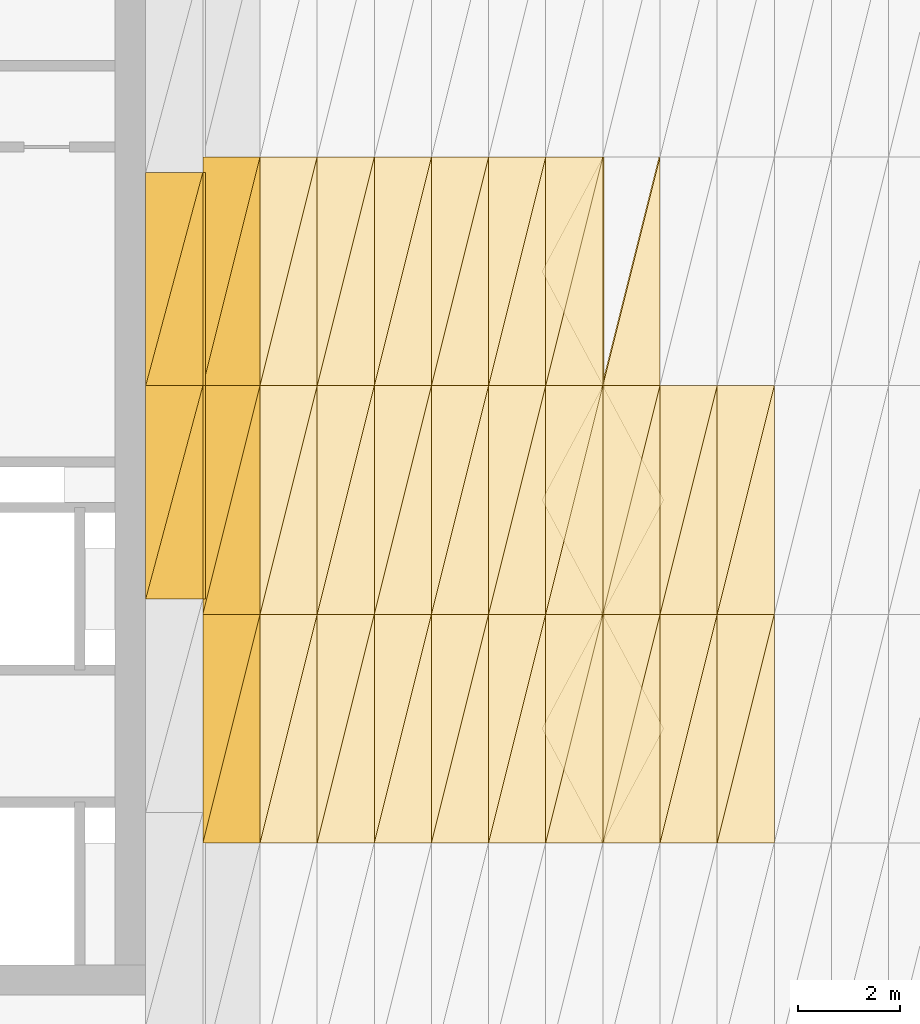
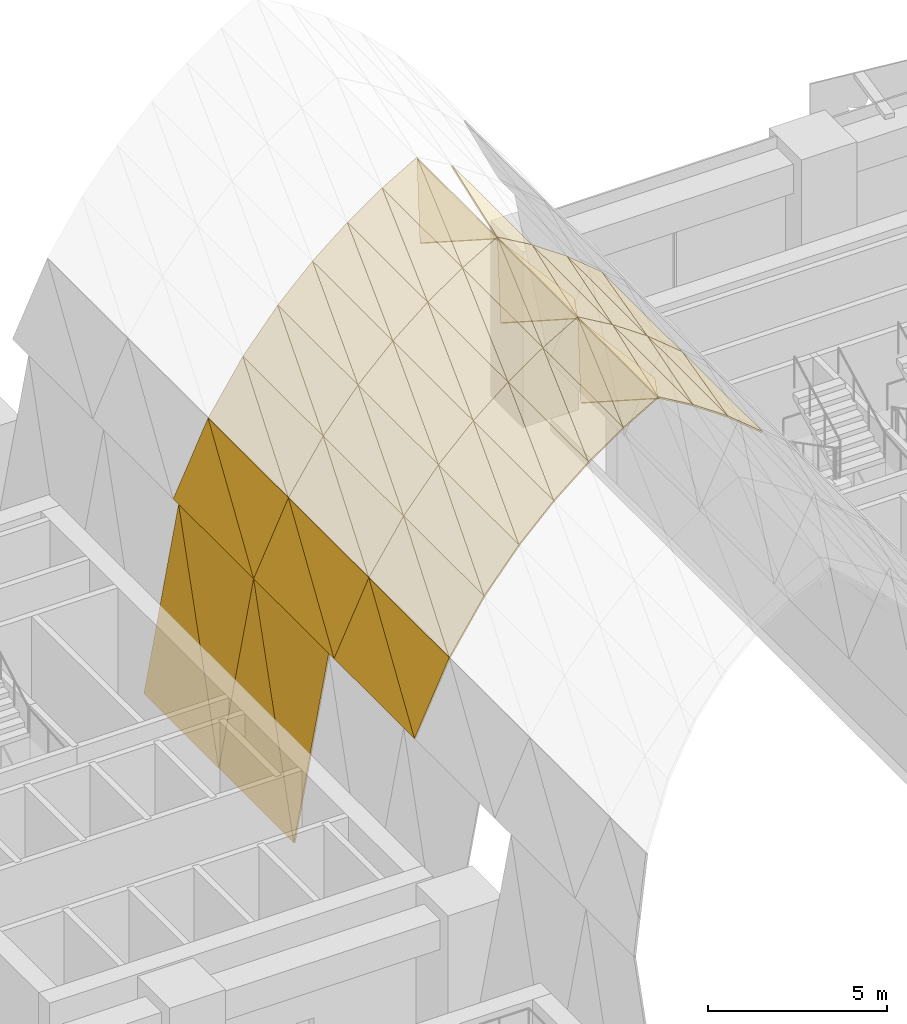
# One storey, part 42 of 46: 64 coverings.
"""IFC4 building model written with IfcOpenShell, lengths in metres."""

from ifc_helpers import new_model, si_unit, direction, frame, origin, place, context, subcontext, project, spatial, polyline, outline, extrude, material, layer, layer_set, type_object, element, save


model = new_model("IFC4")

# Units and contexts
model_context = context("Model", 3, precision=1e-05, world=origin(), true_north=direction((0.0, 1.0)))
body_context = subcontext(model_context, "Body", "Model", "MODEL_VIEW")
ifc_project = project(units=[si_unit("LENGTHUNIT", "METRE"), si_unit("AREAUNIT", "SQUARE_METRE"), si_unit("VOLUMEUNIT", "CUBIC_METRE"), si_unit("PLANEANGLEUNIT", "RADIAN"), si_unit("MASSUNIT", "GRAM", prefix="KILO")], contexts=[model_context])

# Site, building, storey
site_placement = place(None, origin())
site = spatial("IfcSite", under=ifc_project, at=site_placement, CompositionType="ELEMENT")
building_placement = place(site_placement, origin())
building = spatial("IfcBuilding", under=site, at=building_placement, Name="Tessera Arch", CompositionType="ELEMENT")
storey_placement = place(building_placement, frame((0.0, 0.0, 8.0)))
storey = spatial("IfcBuildingStorey", under=building, at=storey_placement, Name="L01", CompositionType="ELEMENT", Elevation=8.0)

# Coverings
ifc_material = material(Name="Aluminium cladding pale metal anodised", Category="aluminium")
ifc_layer = layer(ifc_material, 0.050048828125)
ifc_layer_set = layer_set([ifc_layer], Name="Arch soffit panel")
covering_type = type_object("IfcCoveringType", Name="Arch soffit panel", PredefinedType="CLADDING", material=ifc_layer_set)
covering_1_placement = place(storey_placement, frame((18.0, 36.300048828125, 2.0), z_axis=(-0.98331706381, 0.0, 0.181899840628), x_axis=(0.181899840628, 0.0, 0.98331706381)))
element("IfcCovering", 1, at=covering_1_placement, inside=storey, type_object=covering_type, Name="Arch soffit panel 1-9-1", PredefinedType="CLADDING", context=body_context, shape_type="SweptSolid", body=[
    extrude(outline(polyline([(0.0, 0.0), (6.184722296170829, 0.0), (6.184722296170829, 4.199951171875), (0.0, 0.0)])), origin(), (0.0, 0.0, -1.0), 0.050048828125),
])
covering_2_placement = place(storey_placement, frame((18.0, 36.300048828125, 2.0), z_axis=(-0.98331706381, 0.0, 0.181899840628), x_axis=(0.150481805158, 0.561792207927, 0.81347694585)))
element("IfcCovering", 2, at=covering_2_placement, inside=storey, type_object=covering_type, Name="Arch soffit panel 1-9-2", PredefinedType="CLADDING", context=body_context, shape_type="SweptSolid", body=[
    extrude(outline(polyline([(0.0, 0.0), (7.475986873108242, 4.440892098500626e-16), (2.3594998420322653, 3.474528794179709), (0.0, 0.0)])), origin(), (0.0, 0.0, -1.0), 0.050048828125),
])
covering_3_placement = place(storey_placement, frame((18.0, 40.5, 2.0), z_axis=(-0.98331706381, 0.0, 0.181899840628), x_axis=(0.181899840628, 0.0, 0.98331706381)))
element("IfcCovering", 3, at=covering_3_placement, inside=storey, type_object=covering_type, Name="Arch soffit panel 1-10-1", PredefinedType="CLADDING", context=body_context, shape_type="SweptSolid", body=[
    extrude(outline(polyline([(0.0, 0.0), (6.184722296170829, 0.0), (6.184722296170829, 4.199951171875), (0.0, 0.0)])), origin(), (0.0, 0.0, -1.0), 0.050048828125),
])
covering_4_placement = place(storey_placement, frame((18.0, 40.5, 2.0), z_axis=(-0.98331706381, 0.0, 0.181899840628), x_axis=(0.150481805158, 0.561792207927, 0.81347694585)))
element("IfcCovering", 4, at=covering_4_placement, inside=storey, type_object=covering_type, Name="Arch soffit panel 1-10-2", PredefinedType="CLADDING", context=body_context, shape_type="SweptSolid", body=[
    extrude(outline(polyline([(0.0, 0.0), (7.475986873108242, 4.440892098500626e-16), (2.3594998420322653, 3.474528794179709), (0.0, 0.0)])), origin(), (0.0, 0.0, -1.0), 0.050048828125),
])
covering_5_placement = place(storey_placement, frame((19.125, 31.5, 8.08154296875), z_axis=(-0.903430696756, 0.0, 0.428734155577), x_axis=(0.428734155577, 0.0, 0.903430696756)))
element("IfcCovering", 5, at=covering_5_placement, inside=storey, type_object=covering_type, Name="Arch soffit panel 2-8-1", PredefinedType="CLADDING", context=body_context, shape_type="SweptSolid", body=[
    extrude(outline(polyline([(0.0, 0.0), (2.624003675391368, 0.0), (2.624003675391368, 4.500000000000001), (0.0, 0.0)])), origin(), (0.0, 0.0, -1.0), 0.050048828125),
])
covering_6_placement = place(storey_placement, frame((19.125, 31.5, 8.08154296875), z_axis=(-0.903430696756, 0.0, 0.428734155577), x_axis=(0.215965533365, 0.863862133459, 0.455083621739)))
element("IfcCovering", 6, at=covering_6_placement, inside=storey, type_object=covering_type, Name="Arch soffit panel 2-8-2", PredefinedType="CLADDING", context=body_context, shape_type="SweptSolid", body=[
    extrude(outline(polyline([(0.0, 0.0), (5.209164548031422, 0.0), (3.887379600564281, 2.2667774132271337), (0.0, 0.0)])), origin(), (0.0, 0.0, -1.0), 0.050048828125),
])
covering_7_placement = place(storey_placement, frame((19.125, 36.0, 8.08154296875), z_axis=(-0.903430696756, 0.0, 0.428734155577), x_axis=(0.428734155577, 0.0, 0.903430696756)))
element("IfcCovering", 7, at=covering_7_placement, inside=storey, type_object=covering_type, Name="Arch soffit panel 2-9-1", PredefinedType="CLADDING", context=body_context, shape_type="SweptSolid", body=[
    extrude(outline(polyline([(0.0, 0.0), (2.624003675391368, 0.0), (2.624003675391368, 4.500000000000001), (0.0, 0.0)])), origin(), (0.0, 0.0, -1.0), 0.050048828125),
])
covering_8_placement = place(storey_placement, frame((19.125, 36.0, 8.08154296875), z_axis=(-0.903430696756, 0.0, 0.428734155577), x_axis=(0.215965533365, 0.863862133459, 0.455083621739)))
element("IfcCovering", 8, at=covering_8_placement, inside=storey, type_object=covering_type, Name="Arch soffit panel 2-9-2", PredefinedType="CLADDING", context=body_context, shape_type="SweptSolid", body=[
    extrude(outline(polyline([(0.0, 0.0), (5.209164548031422, 0.0), (3.887379600564281, 2.2667774132271337), (0.0, 0.0)])), origin(), (0.0, 0.0, -1.0), 0.050048828125),
])
covering_9_placement = place(storey_placement, frame((19.125, 40.5, 8.08154296875), z_axis=(-0.903430696756, 0.0, 0.428734155577), x_axis=(0.428734155577, 0.0, 0.903430696756)))
element("IfcCovering", 9, at=covering_9_placement, inside=storey, type_object=covering_type, Name="Arch soffit panel 2-10-1", PredefinedType="CLADDING", context=body_context, shape_type="SweptSolid", body=[
    extrude(outline(polyline([(0.0, 0.0), (2.624003675391368, 0.0), (2.624003675391368, 4.500000000000001), (0.0, 0.0)])), origin(), (0.0, 0.0, -1.0), 0.050048828125),
])
covering_10_placement = place(storey_placement, frame((19.125, 40.5, 8.08154296875), z_axis=(-0.903430696756, 0.0, 0.428734155577), x_axis=(0.215965533365, 0.863862133459, 0.455083621739)))
element("IfcCovering", 10, at=covering_10_placement, inside=storey, type_object=covering_type, Name="Arch soffit panel 2-10-2", PredefinedType="CLADDING", context=body_context, shape_type="SweptSolid", body=[
    extrude(outline(polyline([(0.0, 0.0), (5.209164548031422, 0.0), (3.887379600564281, 2.2667774132271337), (0.0, 0.0)])), origin(), (0.0, 0.0, -1.0), 0.050048828125),
])
covering_11_placement = place(storey_placement, frame((20.25, 31.5, 10.4521484375), z_axis=(-0.836058150895, 0.0, 0.548640837272), x_axis=(0.548640837272, 0.0, 0.836058150895)))
element("IfcCovering", 11, at=covering_11_placement, inside=storey, type_object=covering_type, Name="Arch soffit panel 3-8-1", PredefinedType="CLADDING", context=body_context, shape_type="SweptSolid", body=[
    extrude(outline(polyline([(0.0, 0.0), (2.050521805110356, 0.0), (2.050521805110356, 4.500000000000001), (0.0, 0.0)])), origin(), (0.0, 0.0, -1.0), 0.050048828125),
])
covering_12_placement = place(storey_placement, frame((20.25, 31.5, 10.4521484375), z_axis=(-0.836058150895, 0.0, 0.548640837272), x_axis=(0.227495016996, 0.909980067983, 0.346673179111)))
element("IfcCovering", 12, at=covering_12_placement, inside=storey, type_object=covering_type, Name="Arch soffit panel 3-8-2", PredefinedType="CLADDING", context=body_context, shape_type="SweptSolid", body=[
    extrude(outline(polyline([(0.0, 0.0), (4.945163260523664, 0.0), (4.094910305924995, 1.8659339716156267), (0.0, 0.0)])), origin(), (0.0, 0.0, -1.0), 0.050048828125),
])
covering_13_placement = place(storey_placement, frame((20.25, 36.0, 10.4521484375), z_axis=(-0.836058150895, 0.0, 0.548640837272), x_axis=(0.548640837272, 0.0, 0.836058150895)))
element("IfcCovering", 13, at=covering_13_placement, inside=storey, type_object=covering_type, Name="Arch soffit panel 3-9-1", PredefinedType="CLADDING", context=body_context, shape_type="SweptSolid", body=[
    extrude(outline(polyline([(0.0, 0.0), (2.050521805110356, 0.0), (2.050521805110356, 4.500000000000001), (0.0, 0.0)])), origin(), (0.0, 0.0, -1.0), 0.050048828125),
])
covering_14_placement = place(storey_placement, frame((20.25, 36.0, 10.4521484375), z_axis=(-0.836058150895, 0.0, 0.548640837272), x_axis=(0.227495016996, 0.909980067983, 0.346673179111)))
element("IfcCovering", 14, at=covering_14_placement, inside=storey, type_object=covering_type, Name="Arch soffit panel 3-9-2", PredefinedType="CLADDING", context=body_context, shape_type="SweptSolid", body=[
    extrude(outline(polyline([(0.0, 0.0), (4.945163260523664, 0.0), (4.094910305924995, 1.8659339716156267), (0.0, 0.0)])), origin(), (0.0, 0.0, -1.0), 0.050048828125),
])
covering_15_placement = place(storey_placement, frame((20.25, 40.5, 10.4521484375), z_axis=(-0.836058150895, 0.0, 0.548640837272), x_axis=(0.548640837272, 0.0, 0.836058150895)))
element("IfcCovering", 15, at=covering_15_placement, inside=storey, type_object=covering_type, Name="Arch soffit panel 3-10-1", PredefinedType="CLADDING", context=body_context, shape_type="SweptSolid", body=[
    extrude(outline(polyline([(0.0, 0.0), (2.050521805110356, 0.0), (2.050521805110356, 4.500000000000001), (0.0, 0.0)])), origin(), (0.0, 0.0, -1.0), 0.050048828125),
])
covering_16_placement = place(storey_placement, frame((20.25, 40.5, 10.4521484375), z_axis=(-0.836058150895, 0.0, 0.548640837272), x_axis=(0.227495016996, 0.909980067983, 0.346673179111)))
element("IfcCovering", 16, at=covering_16_placement, inside=storey, type_object=covering_type, Name="Arch soffit panel 3-10-2", PredefinedType="CLADDING", context=body_context, shape_type="SweptSolid", body=[
    extrude(outline(polyline([(0.0, 0.0), (4.945163260523664, 0.0), (4.094910305924995, 1.8659339716156267), (0.0, 0.0)])), origin(), (0.0, 0.0, -1.0), 0.050048828125),
])
covering_17_placement = place(storey_placement, frame((21.375, 31.5, 12.16650390625), z_axis=(-0.769435590456, 0.0, 0.638724410164), x_axis=(0.638724410164, 0.0, 0.769435590456)))
element("IfcCovering", 17, at=covering_17_placement, inside=storey, type_object=covering_type, Name="Arch soffit panel 4-8-1", PredefinedType="CLADDING", context=body_context, shape_type="SweptSolid", body=[
    extrude(outline(polyline([(0.0, 0.0), (1.7613230089496987, 0.0), (1.7613230089496987, 4.5), (0.0, 0.0)])), origin(), (0.0, 0.0, -1.0), 0.050048828125),
])
covering_18_placement = place(storey_placement, frame((21.375, 31.5, 12.16650390625), z_axis=(-0.769435590456, 0.0, 0.638724410164), x_axis=(0.232802733554, 0.931210934214, 0.280444438793)))
element("IfcCovering", 18, at=covering_18_placement, inside=storey, type_object=covering_type, Name="Arch soffit panel 4-8-2", PredefinedType="CLADDING", context=body_context, shape_type="SweptSolid", body=[
    extrude(outline(polyline([(0.0, 0.0), (4.832417484226257, 2.220446049250313e-16), (4.190449203964491, 1.640163244617246), (0.0, 0.0)])), origin(), (0.0, 0.0, -1.0), 0.050048828125),
])
covering_19_placement = place(storey_placement, frame((21.375, 36.0, 12.16650390625), z_axis=(-0.769435590456, 0.0, 0.638724410164), x_axis=(0.638724410164, 0.0, 0.769435590456)))
element("IfcCovering", 19, at=covering_19_placement, inside=storey, type_object=covering_type, Name="Arch soffit panel 4-9-1", PredefinedType="CLADDING", context=body_context, shape_type="SweptSolid", body=[
    extrude(outline(polyline([(0.0, 0.0), (1.7613230089496987, 0.0), (1.7613230089496987, 4.5), (0.0, 0.0)])), origin(), (0.0, 0.0, -1.0), 0.050048828125),
])
covering_20_placement = place(storey_placement, frame((21.375, 36.0, 12.16650390625), z_axis=(-0.769435590456, 0.0, 0.638724410164), x_axis=(0.232802733554, 0.931210934214, 0.280444438793)))
element("IfcCovering", 20, at=covering_20_placement, inside=storey, type_object=covering_type, Name="Arch soffit panel 4-9-2", PredefinedType="CLADDING", context=body_context, shape_type="SweptSolid", body=[
    extrude(outline(polyline([(0.0, 0.0), (4.832417484226257, 2.220446049250313e-16), (4.190449203964491, 1.640163244617246), (0.0, 0.0)])), origin(), (0.0, 0.0, -1.0), 0.050048828125),
])
covering_21_placement = place(storey_placement, frame((21.375, 40.5, 12.16650390625), z_axis=(-0.769435590456, 0.0, 0.638724410164), x_axis=(0.638724410164, 0.0, 0.769435590456)))
element("IfcCovering", 21, at=covering_21_placement, inside=storey, type_object=covering_type, Name="Arch soffit panel 4-10-1", PredefinedType="CLADDING", context=body_context, shape_type="SweptSolid", body=[
    extrude(outline(polyline([(0.0, 0.0), (1.7613230089496987, 0.0), (1.7613230089496987, 4.5), (0.0, 0.0)])), origin(), (0.0, 0.0, -1.0), 0.050048828125),
])
covering_22_placement = place(storey_placement, frame((21.375, 40.5, 12.16650390625), z_axis=(-0.769435590456, 0.0, 0.638724410164), x_axis=(0.232802733554, 0.931210934214, 0.280444438793)))
element("IfcCovering", 22, at=covering_22_placement, inside=storey, type_object=covering_type, Name="Arch soffit panel 4-10-2", PredefinedType="CLADDING", context=body_context, shape_type="SweptSolid", body=[
    extrude(outline(polyline([(0.0, 0.0), (4.832417484226257, 2.220446049250313e-16), (4.190449203964491, 1.640163244617246), (0.0, 0.0)])), origin(), (0.0, 0.0, -1.0), 0.050048828125),
])
covering_23_placement = place(storey_placement, frame((22.5, 31.5, 13.521728515625), z_axis=(-0.70300502251, 0.0, 0.711184883364), x_axis=(0.711184883364, 0.0, 0.70300502251)))
element("IfcCovering", 23, at=covering_23_placement, inside=storey, type_object=covering_type, Name="Arch soffit panel 5-8-1", PredefinedType="CLADDING", context=body_context, shape_type="SweptSolid", body=[
    extrude(outline(polyline([(0.0, 0.0), (1.5818671435730385, 0.0), (1.5818671435730385, 4.5), (0.0, 0.0)])), origin(), (0.0, 0.0, -1.0), 0.050048828125),
])
covering_24_placement = place(storey_placement, frame((22.5, 31.5, 13.521728515625), z_axis=(-0.70300502251, 0.0, 0.711184883364), x_axis=(0.235852147397, 0.943408589587, 0.233139438236)))
element("IfcCovering", 24, at=covering_24_placement, inside=storey, type_object=covering_type, Name="Arch soffit panel 5-8-2", PredefinedType="CLADDING", context=body_context, shape_type="SweptSolid", body=[
    extrude(outline(polyline([(0.0, 0.0), (4.769937490147635, 0.0), (4.245338653143071, 1.4923470508328087), (0.0, 0.0)])), origin(), (0.0, 0.0, -1.0), 0.050048828125),
])
covering_25_placement = place(storey_placement, frame((22.5, 36.0, 13.521728515625), z_axis=(-0.70300502251, 0.0, 0.711184883364), x_axis=(0.711184883364, 0.0, 0.70300502251)))
element("IfcCovering", 25, at=covering_25_placement, inside=storey, type_object=covering_type, Name="Arch soffit panel 5-9-1", PredefinedType="CLADDING", context=body_context, shape_type="SweptSolid", body=[
    extrude(outline(polyline([(0.0, 0.0), (1.5818671435730385, 0.0), (1.5818671435730385, 4.5), (0.0, 0.0)])), origin(), (0.0, 0.0, -1.0), 0.050048828125),
])
covering_26_placement = place(storey_placement, frame((22.5, 36.0, 13.521728515625), z_axis=(-0.70300502251, 0.0, 0.711184883364), x_axis=(0.235852147397, 0.943408589587, 0.233139438236)))
element("IfcCovering", 26, at=covering_26_placement, inside=storey, type_object=covering_type, Name="Arch soffit panel 5-9-2", PredefinedType="CLADDING", context=body_context, shape_type="SweptSolid", body=[
    extrude(outline(polyline([(0.0, 0.0), (4.769937490147635, 0.0), (4.245338653143071, 1.4923470508328087), (0.0, 0.0)])), origin(), (0.0, 0.0, -1.0), 0.050048828125),
])
covering_27_placement = place(storey_placement, frame((22.5, 40.5, 13.521728515625), z_axis=(-0.70300502251, 0.0, 0.711184883364), x_axis=(0.711184883364, 0.0, 0.70300502251)))
element("IfcCovering", 27, at=covering_27_placement, inside=storey, type_object=covering_type, Name="Arch soffit panel 5-10-1", PredefinedType="CLADDING", context=body_context, shape_type="SweptSolid", body=[
    extrude(outline(polyline([(0.0, 0.0), (1.5818671435730385, 0.0), (1.5818671435730385, 4.5), (0.0, 0.0)])), origin(), (0.0, 0.0, -1.0), 0.050048828125),
])
covering_28_placement = place(storey_placement, frame((22.5, 40.5, 13.521728515625), z_axis=(-0.70300502251, 0.0, 0.711184883364), x_axis=(0.235852147397, 0.943408589587, 0.233139438236)))
element("IfcCovering", 28, at=covering_28_placement, inside=storey, type_object=covering_type, Name="Arch soffit panel 5-10-2", PredefinedType="CLADDING", context=body_context, shape_type="SweptSolid", body=[
    extrude(outline(polyline([(0.0, 0.0), (4.769937490147635, 0.0), (4.245338653143071, 1.4923470508328087), (0.0, 0.0)])), origin(), (0.0, 0.0, -1.0), 0.050048828125),
])
covering_29_placement = place(storey_placement, frame((23.625, 31.5, 14.6337890625), z_axis=(-0.636621915226, 0.0, 0.771176073964), x_axis=(0.771176073964, 0.0, 0.636621915226)))
element("IfcCovering", 29, at=covering_29_placement, inside=storey, type_object=covering_type, Name="Arch soffit panel 6-8-1", PredefinedType="CLADDING", context=body_context, shape_type="SweptSolid", body=[
    extrude(outline(polyline([(0.0, 0.0), (1.4588108189316835, 0.0), (1.4588108189316835, 4.5), (0.0, 0.0)])), origin(), (0.0, 0.0, -1.0), 0.050048828125),
])
covering_30_placement = place(storey_placement, frame((23.625, 31.5, 14.6337890625), z_axis=(-0.636621915226, 0.0, 0.771176073964), x_axis=(0.237815762211, 0.951263048844, 0.1963218662)))
element("IfcCovering", 30, at=covering_30_placement, inside=storey, type_object=covering_type, Name="Arch soffit panel 6-8-2", PredefinedType="CLADDING", context=body_context, shape_type="SweptSolid", body=[
    extrude(outline(polyline([(0.0, 0.0), (4.730552716695177, 1.1102230246251565e-16), (4.280683719797313, 1.3877128273033432), (0.0, 0.0)])), origin(), (0.0, 0.0, -1.0), 0.050048828125),
])
covering_31_placement = place(storey_placement, frame((23.625, 36.0, 14.6337890625), z_axis=(-0.636621915226, 0.0, 0.771176073964), x_axis=(0.771176073964, 0.0, 0.636621915226)))
element("IfcCovering", 31, at=covering_31_placement, inside=storey, type_object=covering_type, Name="Arch soffit panel 6-9-1", PredefinedType="CLADDING", context=body_context, shape_type="SweptSolid", body=[
    extrude(outline(polyline([(0.0, 0.0), (1.4588108189316835, 0.0), (1.4588108189316835, 4.5), (0.0, 0.0)])), origin(), (0.0, 0.0, -1.0), 0.050048828125),
])
covering_32_placement = place(storey_placement, frame((23.625, 36.0, 14.6337890625), z_axis=(-0.636621915226, 0.0, 0.771176073964), x_axis=(0.237815762211, 0.951263048844, 0.1963218662)))
element("IfcCovering", 32, at=covering_32_placement, inside=storey, type_object=covering_type, Name="Arch soffit panel 6-9-2", PredefinedType="CLADDING", context=body_context, shape_type="SweptSolid", body=[
    extrude(outline(polyline([(0.0, 0.0), (4.730552716695177, 1.1102230246251565e-16), (4.280683719797313, 1.3877128273033432), (0.0, 0.0)])), origin(), (0.0, 0.0, -1.0), 0.050048828125),
])
covering_33_placement = place(storey_placement, frame((23.625, 40.5, 14.6337890625), z_axis=(-0.636621915226, 0.0, 0.771176073964), x_axis=(0.771176073964, 0.0, 0.636621915226)))
element("IfcCovering", 33, at=covering_33_placement, inside=storey, type_object=covering_type, Name="Arch soffit panel 6-10-1", PredefinedType="CLADDING", context=body_context, shape_type="SweptSolid", body=[
    extrude(outline(polyline([(0.0, 0.0), (1.4588108189316835, 0.0), (1.4588108189316835, 4.5), (0.0, 0.0)])), origin(), (0.0, 0.0, -1.0), 0.050048828125),
])
covering_34_placement = place(storey_placement, frame((23.625, 40.5, 14.6337890625), z_axis=(-0.636621915226, 0.0, 0.771176073964), x_axis=(0.237815762211, 0.951263048844, 0.1963218662)))
element("IfcCovering", 34, at=covering_34_placement, inside=storey, type_object=covering_type, Name="Arch soffit panel 6-10-2", PredefinedType="CLADDING", context=body_context, shape_type="SweptSolid", body=[
    extrude(outline(polyline([(0.0, 0.0), (4.730552716695177, 1.1102230246251565e-16), (4.280683719797313, 1.3877128273033432), (0.0, 0.0)])), origin(), (0.0, 0.0, -1.0), 0.050048828125),
])
covering_35_placement = place(storey_placement, frame((24.75, 31.5, 15.5625), z_axis=(-0.570275535921, 0.0, 0.821453475938), x_axis=(0.821453475938, 0.0, 0.570275535921)))
element("IfcCovering", 35, at=covering_35_placement, inside=storey, type_object=covering_type, Name="Arch soffit panel 7-8-1", PredefinedType="CLADDING", context=body_context, shape_type="SweptSolid", body=[
    extrude(outline(polyline([(0.0, 0.0), (1.3695236954423544, 0.0), (1.3695236954423544, 4.5), (0.0, 0.0)])), origin(), (0.0, 0.0, -1.0), 0.050048828125),
])
covering_36_placement = place(storey_placement, frame((24.75, 31.5, 15.5625), z_axis=(-0.570275535921, 0.0, 0.821453475938), x_axis=(0.239169084806, 0.956676339224, 0.166037739213)))
element("IfcCovering", 36, at=covering_36_placement, inside=storey, type_object=covering_type, Name="Arch soffit panel 7-8-2", PredefinedType="CLADDING", context=body_context, shape_type="SweptSolid", body=[
    extrude(outline(polyline([(0.0, 0.0), (4.703785194115276, 1.6653345369377348e-16), (4.305043526505844, 1.3101909154356595), (0.0, 0.0)])), origin(), (0.0, 0.0, -1.0), 0.050048828125),
])
covering_37_placement = place(storey_placement, frame((24.75, 36.0, 15.5625), z_axis=(-0.570275535921, 0.0, 0.821453475938), x_axis=(0.821453475938, 0.0, 0.570275535921)))
element("IfcCovering", 37, at=covering_37_placement, inside=storey, type_object=covering_type, Name="Arch soffit panel 7-9-1", PredefinedType="CLADDING", context=body_context, shape_type="SweptSolid", body=[
    extrude(outline(polyline([(0.0, 0.0), (1.3695236954423544, 0.0), (1.3695236954423544, 4.5), (0.0, 0.0)])), origin(), (0.0, 0.0, -1.0), 0.050048828125),
])
covering_38_placement = place(storey_placement, frame((24.75, 36.0, 15.5625), z_axis=(-0.570275535921, 0.0, 0.821453475938), x_axis=(0.239169084806, 0.956676339224, 0.166037739213)))
element("IfcCovering", 38, at=covering_38_placement, inside=storey, type_object=covering_type, Name="Arch soffit panel 7-9-2", PredefinedType="CLADDING", context=body_context, shape_type="SweptSolid", body=[
    extrude(outline(polyline([(0.0, 0.0), (4.703785194115276, 1.6653345369377348e-16), (4.305043526505844, 1.3101909154356595), (0.0, 0.0)])), origin(), (0.0, 0.0, -1.0), 0.050048828125),
])
covering_39_placement = place(storey_placement, frame((24.75, 40.5, 15.5625), z_axis=(-0.570275535921, 0.0, 0.821453475938), x_axis=(0.821453475938, 0.0, 0.570275535921)))
element("IfcCovering", 39, at=covering_39_placement, inside=storey, type_object=covering_type, Name="Arch soffit panel 7-10-1", PredefinedType="CLADDING", context=body_context, shape_type="SweptSolid", body=[
    extrude(outline(polyline([(0.0, 0.0), (1.3695236954423544, 0.0), (1.3695236954423544, 4.5), (0.0, 0.0)])), origin(), (0.0, 0.0, -1.0), 0.050048828125),
])
covering_40_placement = place(storey_placement, frame((24.75, 40.5, 15.5625), z_axis=(-0.570275535921, 0.0, 0.821453475938), x_axis=(0.239169084806, 0.956676339224, 0.166037739213)))
element("IfcCovering", 40, at=covering_40_placement, inside=storey, type_object=covering_type, Name="Arch soffit panel 7-10-2", PredefinedType="CLADDING", context=body_context, shape_type="SweptSolid", body=[
    extrude(outline(polyline([(0.0, 0.0), (4.703785194115276, 1.6653345369377348e-16), (4.305043526505844, 1.3101909154356595), (0.0, 0.0)])), origin(), (0.0, 0.0, -1.0), 0.050048828125),
])
covering_41_placement = place(storey_placement, frame((25.875, 31.5, 16.343505859375), z_axis=(-0.504010866283, 0.0, 0.863697311949), x_axis=(0.863697311949, 0.0, 0.504010866283)))
element("IfcCovering", 41, at=covering_41_placement, inside=storey, type_object=covering_type, Name="Arch soffit panel 8-8-1", PredefinedType="CLADDING", context=body_context, shape_type="SweptSolid", body=[
    extrude(outline(polyline([(0.0, 0.0), (1.3025396564692215, 0.0), (1.3025396564692215, 4.5), (0.0, 0.0)])), origin(), (0.0, 0.0, -1.0), 0.050048828125),
])
covering_42_placement = place(storey_placement, frame((25.875, 31.5, 16.343505859375), z_axis=(-0.504010866283, 0.0, 0.863697311949), x_axis=(0.240142376268, 0.960569505072, 0.140135167054)))
element("IfcCovering", 42, at=covering_42_placement, inside=storey, type_object=covering_type, Name="Arch soffit panel 8-8-2", PredefinedType="CLADDING", context=body_context, shape_type="SweptSolid", body=[
    extrude(outline(polyline([(0.0, 0.0), (4.684720862193921, 1.6653345369377348e-16), (4.322562772825837, 1.2511798731518247), (0.0, 0.0)])), origin(), (0.0, 0.0, -1.0), 0.050048828125),
])
covering_43_placement = place(storey_placement, frame((25.875, 36.0, 16.343505859375), z_axis=(-0.504010866283, 0.0, 0.863697311949), x_axis=(0.863697311949, 0.0, 0.504010866283)))
element("IfcCovering", 43, at=covering_43_placement, inside=storey, type_object=covering_type, Name="Arch soffit panel 8-9-1", PredefinedType="CLADDING", context=body_context, shape_type="SweptSolid", body=[
    extrude(outline(polyline([(0.0, 0.0), (1.3025396564692215, 0.0), (1.3025396564692215, 4.5), (0.0, 0.0)])), origin(), (0.0, 0.0, -1.0), 0.050048828125),
])
covering_44_placement = place(storey_placement, frame((25.875, 36.0, 16.343505859375), z_axis=(-0.504010866283, 0.0, 0.863697311949), x_axis=(0.240142376268, 0.960569505072, 0.140135167054)))
element("IfcCovering", 44, at=covering_44_placement, inside=storey, type_object=covering_type, Name="Arch soffit panel 8-9-2", PredefinedType="CLADDING", context=body_context, shape_type="SweptSolid", body=[
    extrude(outline(polyline([(0.0, 0.0), (4.684720862193921, 1.6653345369377348e-16), (4.322562772825837, 1.2511798731518247), (0.0, 0.0)])), origin(), (0.0, 0.0, -1.0), 0.050048828125),
])
covering_45_placement = place(storey_placement, frame((25.875, 40.5, 16.343505859375), z_axis=(-0.504010866283, 0.0, 0.863697311949), x_axis=(0.863697311949, 0.0, 0.504010866283)))
element("IfcCovering", 45, at=covering_45_placement, inside=storey, type_object=covering_type, Name="Arch soffit panel 8-10-1", PredefinedType="CLADDING", context=body_context, shape_type="SweptSolid", body=[
    extrude(outline(polyline([(0.0, 0.0), (1.3025396564692215, 0.0), (1.3025396564692215, 4.5), (0.0, 0.0)])), origin(), (0.0, 0.0, -1.0), 0.050048828125),
])
covering_46_placement = place(storey_placement, frame((25.875, 40.5, 16.343505859375), z_axis=(-0.504010866283, 0.0, 0.863697311949), x_axis=(0.240142376268, 0.960569505072, 0.140135167054)))
element("IfcCovering", 46, at=covering_46_placement, inside=storey, type_object=covering_type, Name="Arch soffit panel 8-10-2", PredefinedType="CLADDING", context=body_context, shape_type="SweptSolid", body=[
    extrude(outline(polyline([(0.0, 0.0), (4.684720862193921, 1.6653345369377348e-16), (4.322562772825837, 1.2511798731518247), (0.0, 0.0)])), origin(), (0.0, 0.0, -1.0), 0.050048828125),
])
covering_47_placement = place(storey_placement, frame((27.0, 31.5, 17.0), z_axis=(0.504010866283, 0.0, 0.863697311949), x_axis=(0.863697311949, 0.0, -0.504010866283)))
element("IfcCovering", 47, at=covering_47_placement, inside=storey, type_object=covering_type, Name="Arch soffit panel 9-8-1", PredefinedType="CLADDING", context=body_context, shape_type="SweptSolid", body=[
    extrude(outline(polyline([(0.0, 0.0), (1.3025396564692215, 0.0), (1.3025396564692215, 4.5), (0.0, 0.0)])), origin(), (0.0, 0.0, -1.0), 0.050048828125),
])
covering_48_placement = place(storey_placement, frame((27.0, 31.5, 17.0), z_axis=(0.504010866283, 0.0, 0.863697311949), x_axis=(0.240142376268, 0.960569505072, -0.140135167054)))
element("IfcCovering", 48, at=covering_48_placement, inside=storey, type_object=covering_type, Name="Arch soffit panel 9-8-2", PredefinedType="CLADDING", context=body_context, shape_type="SweptSolid", body=[
    extrude(outline(polyline([(0.0, 0.0), (4.684720862193921, 1.6653345369377348e-16), (4.322562772825837, 1.2511798731518247), (0.0, 0.0)])), origin(), (0.0, 0.0, -1.0), 0.050048828125),
])
covering_49_placement = place(storey_placement, frame((27.0, 36.0, 17.0), z_axis=(0.504010866283, 0.0, 0.863697311949), x_axis=(0.863697311949, 0.0, -0.504010866283)))
element("IfcCovering", 49, at=covering_49_placement, inside=storey, type_object=covering_type, Name="Arch soffit panel 9-9-1", PredefinedType="CLADDING", context=body_context, shape_type="SweptSolid", body=[
    extrude(outline(polyline([(0.0, 0.0), (1.3025396564692215, 0.0), (1.3025396564692215, 4.5), (0.0, 0.0)])), origin(), (0.0, 0.0, -1.0), 0.050048828125),
])
covering_50_placement = place(storey_placement, frame((27.0, 36.0, 17.0), z_axis=(0.504010866283, 0.0, 0.863697311949), x_axis=(0.240142376268, 0.960569505072, -0.140135167054)))
element("IfcCovering", 50, at=covering_50_placement, inside=storey, type_object=covering_type, Name="Arch soffit panel 9-9-2", PredefinedType="CLADDING", context=body_context, shape_type="SweptSolid", body=[
    extrude(outline(polyline([(0.0, 0.0), (4.684720862193921, 1.6653345369377348e-16), (4.322562772825837, 1.2511798731518247), (0.0, 0.0)])), origin(), (0.0, 0.0, -1.0), 0.050048828125),
])
covering_51_placement = place(storey_placement, frame((27.0, 40.5, 17.0), z_axis=(0.504010866283, 0.0, 0.863697311949), x_axis=(0.863697311949, 0.0, -0.504010866283)))
element("IfcCovering", 51, at=covering_51_placement, inside=storey, type_object=covering_type, Name="Arch soffit panel 9-10-1", PredefinedType="CLADDING", context=body_context, shape_type="SweptSolid", body=[
    extrude(outline(polyline([(0.0, 0.0), (1.3025396564692215, 0.0), (1.3025396564692215, 4.5), (0.0, 0.0)])), origin(), (0.0, 0.0, -1.0), 0.050048828125),
])
covering_52_placement = place(storey_placement, frame((28.125, 31.5, 16.343505859375), z_axis=(0.570275535921, 0.0, 0.821453475938), x_axis=(0.821453475938, 0.0, -0.570275535921)))
element("IfcCovering", 52, at=covering_52_placement, inside=storey, type_object=covering_type, Name="Arch soffit panel 10-8-1", PredefinedType="CLADDING", context=body_context, shape_type="SweptSolid", body=[
    extrude(outline(polyline([(0.0, 0.0), (1.3695236954423544, 0.0), (1.3695236954423544, 4.5), (0.0, 0.0)])), origin(), (0.0, 0.0, -1.0), 0.050048828125),
])
covering_53_placement = place(storey_placement, frame((28.125, 31.5, 16.343505859375), z_axis=(0.570275535921, 0.0, 0.821453475938), x_axis=(0.239169084806, 0.956676339224, -0.166037739213)))
element("IfcCovering", 53, at=covering_53_placement, inside=storey, type_object=covering_type, Name="Arch soffit panel 10-8-2", PredefinedType="CLADDING", context=body_context, shape_type="SweptSolid", body=[
    extrude(outline(polyline([(0.0, 0.0), (4.703785194115276, 1.6653345369377348e-16), (4.305043526505844, 1.3101909154356595), (0.0, 0.0)])), origin(), (0.0, 0.0, -1.0), 0.050048828125),
])
covering_54_placement = place(storey_placement, frame((28.125, 36.0, 16.343505859375), z_axis=(0.570275535921, 0.0, 0.821453475938), x_axis=(0.821453475938, 0.0, -0.570275535921)))
element("IfcCovering", 54, at=covering_54_placement, inside=storey, type_object=covering_type, Name="Arch soffit panel 10-9-1", PredefinedType="CLADDING", context=body_context, shape_type="SweptSolid", body=[
    extrude(outline(polyline([(0.0, 0.0), (1.3695236954423544, 0.0), (1.3695236954423544, 4.5), (0.0, 0.0)])), origin(), (0.0, 0.0, -1.0), 0.050048828125),
])
covering_55_placement = place(storey_placement, frame((28.125, 36.0, 16.343505859375), z_axis=(0.570275535921, 0.0, 0.821453475938), x_axis=(0.239169084806, 0.956676339224, -0.166037739213)))
element("IfcCovering", 55, at=covering_55_placement, inside=storey, type_object=covering_type, Name="Arch soffit panel 10-9-2", PredefinedType="CLADDING", context=body_context, shape_type="SweptSolid", body=[
    extrude(outline(polyline([(0.0, 0.0), (4.703785194115276, 1.6653345369377348e-16), (4.305043526505844, 1.3101909154356595), (0.0, 0.0)])), origin(), (0.0, 0.0, -1.0), 0.050048828125),
])
covering_56_placement = place(storey_placement, frame((29.25, 31.5, 15.5625), z_axis=(0.636621915226, 0.0, 0.771176073964), x_axis=(0.771176073964, 0.0, -0.636621915226)))
element("IfcCovering", 56, at=covering_56_placement, inside=storey, type_object=covering_type, Name="Arch soffit panel 11-8-1", PredefinedType="CLADDING", context=body_context, shape_type="SweptSolid", body=[
    extrude(outline(polyline([(0.0, 0.0), (1.4588108189316835, 0.0), (1.4588108189316835, 4.5), (0.0, 0.0)])), origin(), (0.0, 0.0, -1.0), 0.050048828125),
])
covering_57_placement = place(storey_placement, frame((29.25, 31.5, 15.5625), z_axis=(0.636621915226, 0.0, 0.771176073964), x_axis=(0.237815762211, 0.951263048844, -0.1963218662)))
element("IfcCovering", 57, at=covering_57_placement, inside=storey, type_object=covering_type, Name="Arch soffit panel 11-8-2", PredefinedType="CLADDING", context=body_context, shape_type="SweptSolid", body=[
    extrude(outline(polyline([(0.0, 0.0), (4.730552716695177, 1.1102230246251565e-16), (4.280683719797313, 1.3877128273033432), (0.0, 0.0)])), origin(), (0.0, 0.0, -1.0), 0.050048828125),
])
covering_58_placement = place(storey_placement, frame((29.25, 36.0, 15.5625), z_axis=(0.636621915226, 0.0, 0.771176073964), x_axis=(0.771176073964, 0.0, -0.636621915226)))
element("IfcCovering", 58, at=covering_58_placement, inside=storey, type_object=covering_type, Name="Arch soffit panel 11-9-1", PredefinedType="CLADDING", context=body_context, shape_type="SweptSolid", body=[
    extrude(outline(polyline([(0.0, 0.0), (1.4588108189316835, 0.0), (1.4588108189316835, 4.5), (0.0, 0.0)])), origin(), (0.0, 0.0, -1.0), 0.050048828125),
])
covering_59_placement = place(storey_placement, frame((29.25, 36.0, 15.5625), z_axis=(0.636621915226, 0.0, 0.771176073964), x_axis=(0.237815762211, 0.951263048844, -0.1963218662)))
element("IfcCovering", 59, at=covering_59_placement, inside=storey, type_object=covering_type, Name="Arch soffit panel 11-9-2", PredefinedType="CLADDING", context=body_context, shape_type="SweptSolid", body=[
    extrude(outline(polyline([(0.0, 0.0), (4.730552716695177, 1.1102230246251565e-16), (4.280683719797313, 1.3877128273033432), (0.0, 0.0)])), origin(), (0.0, 0.0, -1.0), 0.050048828125),
])
covering_60_placement = place(storey_placement, frame((27.0, 31.5, 16.949951171875), z_axis=(-0.675690668518, 0.0, 0.737185268761), x_axis=(0.0, 1.0, 0.0)))
element("IfcCovering", 60, at=covering_60_placement, inside=storey, type_object=covering_type, Name="Arch soffit facet W8", PredefinedType="CLADDING", context=body_context, shape_type="SweptSolid", body=[
    extrude(outline(polyline([(0.0, 0.0), (4.5, 0.0), (2.25, 1.6277470843828468), (0.0, 0.0)])), origin(), (0.0, 0.0, -1.0), 0.050048828125),
])
covering_61_placement = place(storey_placement, frame((27.0, 31.5, 16.949951171875), z_axis=(0.675690668518, 0.0, 0.737185268761), x_axis=(0.0, 1.0, 0.0)))
element("IfcCovering", 61, at=covering_61_placement, inside=storey, type_object=covering_type, Name="Arch soffit facet E8", PredefinedType="CLADDING", context=body_context, shape_type="SweptSolid", body=[
    extrude(outline(polyline([(0.0, 0.0), (4.5, 0.0), (2.25, -1.6277470843828468), (0.0, 0.0)])), origin(), (0.0, 0.0, -1.0), 0.050048828125),
])
covering_62_placement = place(storey_placement, frame((27.0, 36.0, 16.949951171875), z_axis=(-0.675690668518, 0.0, 0.737185268761), x_axis=(0.0, 1.0, 0.0)))
element("IfcCovering", 62, at=covering_62_placement, inside=storey, type_object=covering_type, Name="Arch soffit facet W9", PredefinedType="CLADDING", context=body_context, shape_type="SweptSolid", body=[
    extrude(outline(polyline([(0.0, 0.0), (4.5, 0.0), (2.25, 1.6277470843828468), (0.0, 0.0)])), origin(), (0.0, 0.0, -1.0), 0.050048828125),
])
covering_63_placement = place(storey_placement, frame((27.0, 36.0, 16.949951171875), z_axis=(0.675690668518, 0.0, 0.737185268761), x_axis=(0.0, 1.0, 0.0)))
element("IfcCovering", 63, at=covering_63_placement, inside=storey, type_object=covering_type, Name="Arch soffit facet E9", PredefinedType="CLADDING", context=body_context, shape_type="SweptSolid", body=[
    extrude(outline(polyline([(0.0, 0.0), (4.5, 0.0), (2.25, -1.6277470843828468), (0.0, 0.0)])), origin(), (0.0, 0.0, -1.0), 0.050048828125),
])
covering_64_placement = place(storey_placement, frame((27.0, 40.5, 16.949951171875), z_axis=(-0.675690668518, 0.0, 0.737185268761), x_axis=(0.0, 1.0, 0.0)))
element("IfcCovering", 64, at=covering_64_placement, inside=storey, type_object=covering_type, Name="Arch soffit facet W10", PredefinedType="CLADDING", context=body_context, shape_type="SweptSolid", body=[
    extrude(outline(polyline([(0.0, 0.0), (4.5, 0.0), (2.25, 1.6277470843828468), (0.0, 0.0)])), origin(), (0.0, 0.0, -1.0), 0.050048828125),
])

save(model, "model.ifc")
